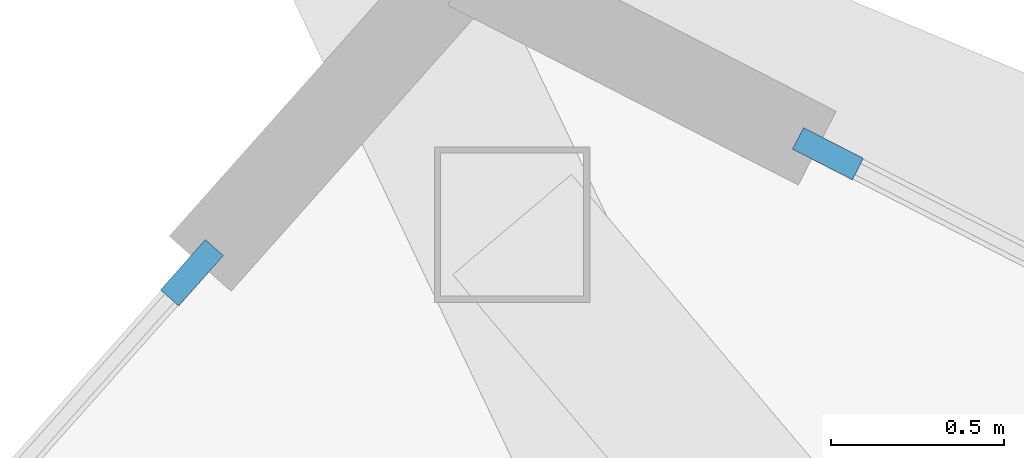
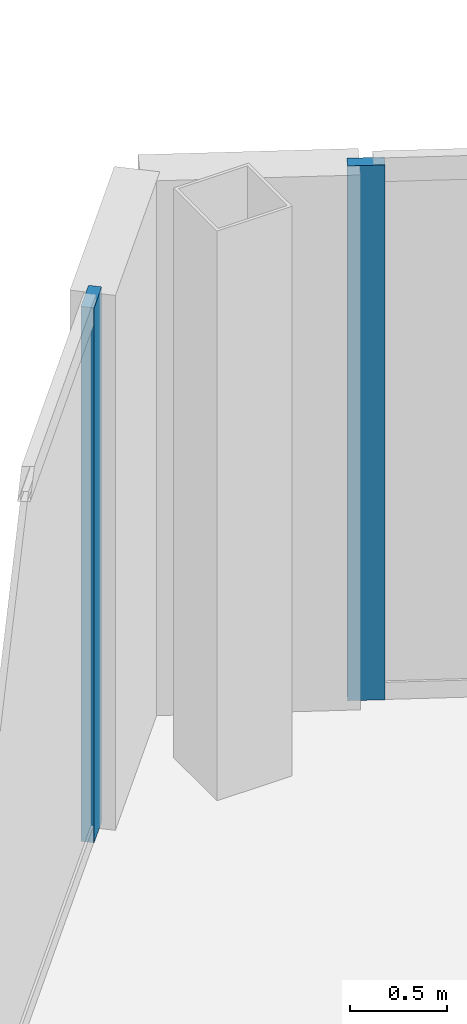
# One storey, part 15 of 28: 2 members, 2 elements without a shape of their own.
"""IFC4 building model written with IfcOpenShell, lengths in metres."""

from ifc_helpers import new_model, si_unit, direction, frame, origin, origin_2d, place, context, subcontext, project, spatial, rectangle, extrude, source, transform, mapped, material, layer, layer_set, material_profile, profile_set, type_object, type_shapes, element, aggregate, save


model = new_model("IFC4")

# Units and contexts
model_context = context("Model", 3, precision=1e-05, world=origin(), true_north=direction((0.0, 1.0)))
body_context = subcontext(model_context, "Body", "Model", "MODEL_VIEW")
ifc_project = project(units=[si_unit("LENGTHUNIT", "METRE"), si_unit("AREAUNIT", "SQUARE_METRE"), si_unit("VOLUMEUNIT", "CUBIC_METRE"), si_unit("PLANEANGLEUNIT", "RADIAN"), si_unit("MASSUNIT", "GRAM", prefix="KILO")], contexts=[model_context])

# Site, building, storey
site_placement = place(None, origin())
site = spatial("IfcSite", under=ifc_project, at=site_placement, CompositionType="ELEMENT")
building_placement = place(site_placement, origin())
building = spatial("IfcBuilding", under=site, at=building_placement, Name="Seokmaru Belvedere", CompositionType="ELEMENT")
storey_placement = place(building_placement, frame((0.0, 0.0, 110.39990234375)))
storey = spatial("IfcBuildingStorey", under=building, at=storey_placement, Name="L29", CompositionType="ELEMENT", Elevation=110.39990234375)

# Curtain wall, member
ifc_material_1 = material(Name="Bronze Triple Insulating Glass", Category="glass")
ifc_layer = layer(ifc_material_1, 0.195068359375)
ifc_layer_set = layer_set([ifc_layer], Name="Bronze Triple Insulating Glass")
curtain_wall_type = type_object("IfcCurtainWallType", Name="Sky-Lobby and Mid-Rise Curtain Wall System CW-4", PredefinedType="NOTDEFINED", material=ifc_layer_set)
curtain_wall_1_placement = place(storey_placement, origin())
curtain_wall_1 = element("IfcCurtainWall", 1, at=curtain_wall_1_placement, inside=storey, type_object=curtain_wall_type, Name="L29 Curtain Wall EF3", PredefinedType="NOTDEFINED")
ifc_material_2 = material(Name="Anodised Bronze Aluminium", Category="aluminium")
ifc_material_profile = material_profile(ifc_material_2, rectangle(XDim=0.070068359375, YDim=0.195068359375, at=origin_2d()), Name="CW-M-70x195")
ifc_profile_set = profile_set([ifc_material_profile], Name="Anodised Bronze Aluminium")
member_type = type_object("IfcMemberType", Name="Bronze Unitised Mullion 70x195", PredefinedType="MULLION", material=ifc_profile_set)
shared_shape = source(origin(), body_context, "Body", "SweptSolid", [
    extrude(rectangle(XDim=0.070068359375, YDim=0.195068359375, at=origin_2d()), origin(), (0.0, 0.0, 1.0), 3.380126953125),
])
type_shapes(member_type, [shared_shape])
member_1_placement = place(storey_placement, frame((32.55419921875, 23.958984375, 0.0), z_axis=(0.0, 0.0, 1.0), x_axis=(-0.456554528263, -0.889695432562, 0.0)))
member_1 = element("IfcMember", 2, at=member_1_placement, type_object=member_type, Name="CW:L29:EF3 Mullion 10", PredefinedType="MULLION", context=body_context, shape_type="MappedRepresentation", body=[
    mapped(shared_shape, transform((0.0, 0.0, 0.0), scale=1.0)),
])
aggregate(curtain_wall_1, [member_1])

curtain_wall_2_placement = place(storey_placement, origin())
curtain_wall_2 = element("IfcCurtainWall", 3, at=curtain_wall_2_placement, inside=storey, type_object=curtain_wall_type, Name="L29 Curtain Wall EF4", PredefinedType="NOTDEFINED")
member_2_placement = place(storey_placement, frame((30.712646484375, 23.6142578125, 0.0), z_axis=(0.0, 0.0, 1.0), x_axis=(0.747409774804, -0.664363325694, 0.0)))
member_2 = element("IfcMember", 4, at=member_2_placement, type_object=member_type, Name="CW:L29:EF4 Mullion 1", PredefinedType="MULLION", context=body_context, shape_type="MappedRepresentation", body=[
    mapped(shared_shape, transform((0.0, 0.0, 0.0), scale=1.0)),
])
aggregate(curtain_wall_2, [member_2])

save(model, "model.ifc")
